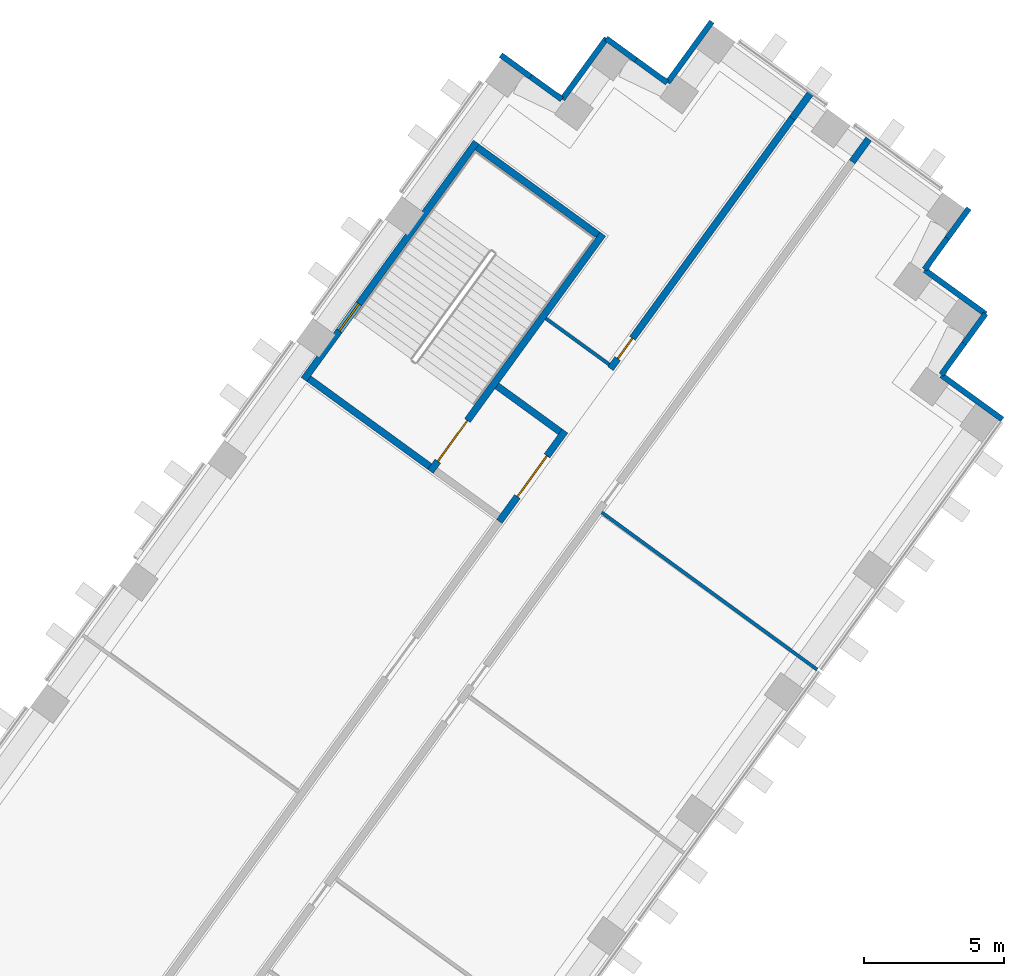
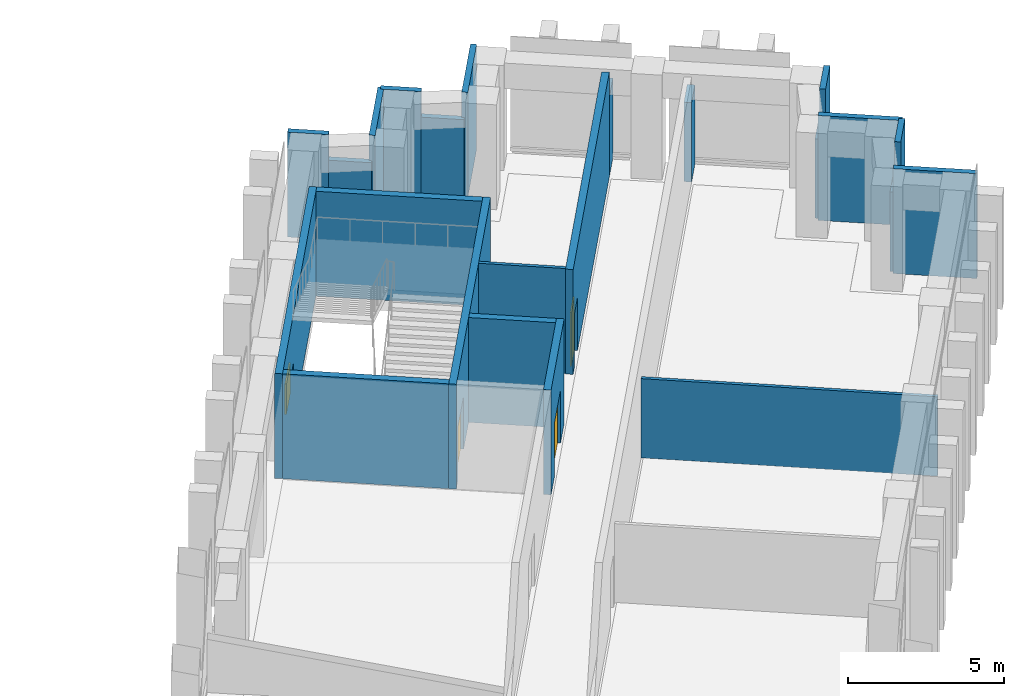
# One storey, part 11 of 15: 23 walls, 3 doors, 1 window, 4 openings.
"""IFC4 building model written with IfcOpenShell, lengths in metres."""

from ifc_helpers import new_model, si_unit, direction, frame, frame_2d, origin, place, context, subcontext, project, spatial, rectangle, extrude, material, layer, layer_set, type_object, element, fill, save


model = new_model("IFC4")

# Units and contexts
model_context = context("Model", 3, precision=1e-05, world=origin(), true_north=direction((0.0, 1.0)))
body_context = subcontext(model_context, "Body", "Model", "MODEL_VIEW")
ifc_project = project(units=[si_unit("LENGTHUNIT", "METRE"), si_unit("AREAUNIT", "SQUARE_METRE"), si_unit("VOLUMEUNIT", "CUBIC_METRE"), si_unit("PLANEANGLEUNIT", "RADIAN"), si_unit("MASSUNIT", "GRAM", prefix="KILO")], contexts=[model_context])

# Site, building, storey
site_placement = place(None, origin())
site = spatial("IfcSite", under=ifc_project, at=site_placement, CompositionType="ELEMENT")
building_placement = place(site_placement, origin())
building = spatial("IfcBuilding", under=site, at=building_placement, Name="Quipu Civic Tower", CompositionType="ELEMENT")
storey_placement = place(building_placement, frame((0.0, 0.0, 11.5)))
storey = spatial("IfcBuildingStorey", under=building, at=storey_placement, Name="L02", CompositionType="ELEMENT", Elevation=11.5)

# Wall, opening, door
ifc_material_1 = material(Name="Concrete C70/85", Category="concrete")
ifc_layer_1 = layer(ifc_material_1, 0.25)
ifc_layer_set_1 = layer_set([ifc_layer_1], Name="Concrete C70/85")
wall_type_1 = type_object("IfcWallType", Name="Core wall 250", PredefinedType="SHEAR", material=ifc_layer_set_1)
wall_1_placement = place(storey_placement, frame((37.237548828125, 25.979736328125, 0.0), z_axis=(0.0, 0.0, 1.0), x_axis=(0.587772420479, 0.809026317077, 0.0)))
wall_1 = element("IfcWall", 1, at=wall_1_placement, inside=storey, type_object=wall_type_1, Name="Core wall", PredefinedType="SHEAR", context=body_context, shape_type="SweptSolid", body=[
    extrude(rectangle(XDim=4.0, YDim=0.25, at=frame_2d((2.0, 0.0))), origin(), (0.0, 0.0, 1.0), 4.10009765625),
])
opening_1_placement = place(wall_1_placement, frame((1.10009765625, 0.0, 0.0)))
opening_1 = element("IfcOpeningElement", 2, at=opening_1_placement, cuts=wall_1, Name="Opening CD-20", PredefinedType="OPENING", context=body_context, shape_type="SweptSolid", body=[
    extrude(rectangle(XDim=1.800048828125, YDim=2.10009765625, at=frame_2d((0.89990234375, 1.050048828125))), frame((0.0, 0.135009765625, 0.0), z_axis=(0.0, -1.0, 0.0), x_axis=(1.0, 0.0, 0.0)), (0.0, 0.0, 1.0), 0.27001953125),
])
ifc_material_2 = material(Name="Fire rated steel door", Category="steel")
door_type_1 = type_object("IfcDoorType", Name="Fire door FD90 double 1800 x 2100", OperationType="NOTDEFINED", PredefinedType="DOOR", material=ifc_material_2)
door_1_placement = place(opening_1_placement, origin())
door_1 = element("IfcDoor", 3, at=door_1_placement, inside=storey, type_object=door_type_1, Name="Lobby door", OperationType="DOUBLE_DOOR_SINGLE_SWING", OverallHeight=2.10009765625, OverallWidth=1.800048828125, PredefinedType="DOOR", context=body_context, shape_type="SweptSolid", body=[
    extrude(rectangle(XDim=1.800048828125, YDim=2.10009765625, at=frame_2d((0.89990234375, 1.050048828125))), frame((0.0, 0.02490234375, 0.0), z_axis=(0.0, -1.0, 0.0), x_axis=(1.0, 0.0, 0.0)), (0.0, 0.0, 1.0), 0.050048828125),
])
fill(opening_1, door_1)

# Wall
wall_2_placement = place(storey_placement, frame((39.4140625, 29.18798828125, 0.0), z_axis=(0.0, 0.0, 1.0), x_axis=(-0.808969789945, 0.58785021813, 0.0)))
element("IfcWall", 4, at=wall_2_placement, inside=storey, type_object=wall_type_1, Name="Core wall", PredefinedType="SHEAR", context=body_context, shape_type="SweptSolid", body=[
    extrude(rectangle(XDim=2.800048828125, YDim=0.25, at=frame_2d((1.39990234375, 0.0))), origin(), (0.0, 0.0, 1.0), 4.10009765625),
])

# Wall, opening, door
wall_3_placement = place(storey_placement, frame((34.77001953125, 27.7724609375, 0.0), z_axis=(0.0, 0.0, 1.0), x_axis=(0.587795589702, 0.809009483706, 0.0)))
wall_3 = element("IfcWall", 5, at=wall_3_placement, inside=storey, type_object=wall_type_1, Name="Core wall", PredefinedType="SHEAR", context=body_context, shape_type="SweptSolid", body=[
    extrude(rectangle(XDim=10.5, YDim=0.25, at=frame_2d((5.25, 0.0))), origin(), (0.0, 0.0, 1.0), 4.10009765625),
])
opening_2_placement = place(wall_3_placement, frame((0.449951171875, 0.0, 0.0)))
opening_2 = element("IfcOpeningElement", 6, at=opening_2_placement, cuts=wall_3, Name="Opening CD-21", PredefinedType="OPENING", context=body_context, shape_type="SweptSolid", body=[
    extrude(rectangle(XDim=1.800048828125, YDim=2.10009765625, at=frame_2d((0.89990234375, 1.050048828125))), frame((0.0, 0.135009765625, 0.0), z_axis=(0.0, -1.0, 0.0), x_axis=(1.0, 0.0, 0.0)), (0.0, 0.0, 1.0), 0.27001953125),
])
door_2_placement = place(opening_2_placement, origin())
door_2 = element("IfcDoor", 7, at=door_2_placement, inside=storey, type_object=door_type_1, Name="Door", OperationType="DOUBLE_DOOR_SINGLE_SWING", OverallHeight=2.10009765625, OverallWidth=1.800048828125, PredefinedType="DOOR", context=body_context, shape_type="SweptSolid", body=[
    extrude(rectangle(XDim=1.800048828125, YDim=2.10009765625, at=frame_2d((0.89990234375, 1.050048828125))), frame((0.0, 0.02490234375, 0.0), z_axis=(0.0, -1.0, 0.0), x_axis=(1.0, 0.0, 0.0)), (0.0, 0.0, 1.0), 0.050048828125),
])
fill(opening_2, door_2)

# Walls
wall_4_placement = place(storey_placement, frame((34.742431640625, 27.947021484375, 0.0), z_axis=(0.0, 0.0, 1.0), x_axis=(-0.8089984606, 0.587810760999, 0.0)))
element("IfcWall", 8, at=wall_4_placement, inside=storey, type_object=wall_type_1, Name="Core wall", PredefinedType="SHEAR", context=body_context, shape_type="SweptSolid", body=[
    extrude(rectangle(XDim=5.35009765625, YDim=0.25, at=frame_2d((2.675048828125, 0.0))), origin(), (0.0, 0.0, 1.0), 4.10009765625),
])
wall_5_placement = place(storey_placement, frame((40.76708984375, 36.239501953125, 0.0), z_axis=(0.0, 0.0, 1.0), x_axis=(-0.809020161303, 0.587780893365, 0.0)))
element("IfcWall", 9, at=wall_5_placement, inside=storey, type_object=wall_type_1, Name="Core wall", PredefinedType="SHEAR", context=body_context, shape_type="SweptSolid", body=[
    extrude(rectangle(XDim=5.349853515625, YDim=0.25, at=frame_2d((2.6748046875, 0.0))), origin(), (0.0, 0.0, 1.0), 4.10009765625),
])

# Wall, opening, window
wall_6_placement = place(storey_placement, frame((30.239501953125, 31.06396484375, 0.0), z_axis=(0.0, 0.0, 1.0), x_axis=(0.587795589702, 0.809009483706, 0.0)))
wall_6 = element("IfcWall", 10, at=wall_6_placement, inside=storey, type_object=wall_type_1, Name="Core wall", PredefinedType="SHEAR", context=body_context, shape_type="SweptSolid", body=[
    extrude(rectangle(XDim=10.5, YDim=0.25, at=frame_2d((5.25, 0.0))), origin(), (0.0, 0.0, 1.0), 4.10009765625),
])
opening_3_placement = place(wall_6_placement, frame((2.14990234375, 0.0, 1.0)))
opening_3 = element("IfcOpeningElement", 11, at=opening_3_placement, cuts=wall_6, Name="Opening SV-7", PredefinedType="OPENING", context=body_context, shape_type="SweptSolid", body=[
    extrude(rectangle(XDim=1.199951171875, YDim=1.199951171875, at=frame_2d((0.60009765625, 0.60009765625))), frame((0.0, 0.135009765625, 0.0), z_axis=(0.0, -1.0, 0.0), x_axis=(1.0, 0.0, 0.0)), (0.0, 0.0, 1.0), 0.27001953125),
])
ifc_material_3 = material(Name="Aluminium louvre", Category="aluminium")
window_type = type_object("IfcWindowType", Name="Stair ventilation louvre 1200 x 1200", PartitioningType="SINGLE_PANEL", PredefinedType="WINDOW", material=ifc_material_3)
window_placement = place(opening_3_placement, origin())
window = element("IfcWindow", 12, at=window_placement, inside=storey, type_object=window_type, Name="Stair ventilation opening", OverallHeight=1.199951171875, OverallWidth=1.199951171875, PartitioningType="SINGLE_PANEL", PredefinedType="WINDOW", context=body_context, shape_type="SweptSolid", body=[
    extrude(rectangle(XDim=1.199951171875, YDim=1.199951171875, at=frame_2d((0.60009765625, 0.60009765625))), frame((0.0, 0.030029296875, 0.0), z_axis=(0.0, -1.0, 0.0), x_axis=(1.0, 0.0, 0.0)), (0.0, 0.0, 1.0), 0.06005859375),
])
fill(opening_3, window)

# Wall, opening, door
ifc_material_4 = material(Name="Concrete C50/60", Category="concrete")
ifc_layer_2 = layer(ifc_material_4, 0.25)
ifc_layer_set_2 = layer_set([ifc_layer_2], Name="Concrete C50/60")
wall_type_2 = type_object("IfcWallType", Name="Corridor wall 250 concrete", PredefinedType="SOLIDWALL", material=ifc_layer_set_2)
wall_7_placement = place(storey_placement, frame((41.213134765625, 31.451416015625, 0.0), z_axis=(0.0, 0.0, 1.0), x_axis=(0.587773291021, 0.809025684612, 0.0)))
wall_7 = element("IfcWall", 13, at=wall_7_placement, inside=storey, type_object=wall_type_2, Name="Corridor wall C07", PredefinedType="SOLIDWALL", context=body_context, shape_type="SweptSolid", body=[
    extrude(rectangle(XDim=11.07861328125, YDim=0.25, at=frame_2d((5.539306640625, 0.0))), origin(), (0.0, 0.0, 1.0), 4.10009765625),
])
opening_4_placement = place(wall_7_placement, frame((0.44140625, 0.0, 0.0)))
opening_4 = element("IfcOpeningElement", 14, at=opening_4_placement, cuts=wall_7, Name="Opening D003", PredefinedType="OPENING", context=body_context, shape_type="SweptSolid", body=[
    extrude(rectangle(XDim=0.89990234375, YDim=2.10009765625, at=frame_2d((0.449951171875, 1.050048828125))), frame((0.0, 0.135009765625, 0.0), z_axis=(0.0, -1.0, 0.0), x_axis=(1.0, 0.0, 0.0)), (0.0, 0.0, 1.0), 0.27001953125),
])
ifc_material_5 = material(Name="Fire rated timber door set with metal frame", Category="wood")
door_type_2 = type_object("IfcDoorType", Name="Single door 900 x 2100 FD60", OperationType="NOTDEFINED", PredefinedType="DOOR", material=ifc_material_5)
door_3_placement = place(opening_4_placement, origin())
door_3 = element("IfcDoor", 15, at=door_3_placement, inside=storey, type_object=door_type_2, Name="Door D003", OperationType="SINGLE_SWING_LEFT", OverallHeight=2.10009765625, OverallWidth=0.89990234375, PredefinedType="DOOR", context=body_context, shape_type="SweptSolid", body=[
    extrude(rectangle(XDim=0.89990234375, YDim=2.10009765625, at=frame_2d((0.449951171875, 1.050048828125))), frame((0.0, 0.02490234375, 0.0), z_axis=(0.0, -1.0, 0.0), x_axis=(1.0, 0.0, 0.0)), (0.0, 0.0, 1.0), 0.050048828125),
])
fill(opening_4, door_3)

# Walls
wall_8_placement = place(storey_placement, frame((49.86865234375, 38.8564453125, 0.0), z_axis=(0.0, 0.0, 1.0), x_axis=(0.587725246084, 0.809060588037, 0.0)))
element("IfcWall", 16, at=wall_8_placement, inside=storey, type_object=wall_type_2, Name="Corridor wall C01", PredefinedType="SOLIDWALL", context=body_context, shape_type="SweptSolid", body=[
    extrude(rectangle(XDim=1.008056640625, YDim=0.25, at=frame_2d((0.50390625, 0.0))), origin(), (0.0, 0.0, 1.0), 3.10009765625),
])
wall_9_placement = place(storey_placement, frame((47.724853515625, 40.414306640625, 0.0), z_axis=(0.0, 0.0, 1.0), x_axis=(0.587883639643, 0.808945502639, 0.0)))
element("IfcWall", 17, at=wall_9_placement, inside=storey, type_object=wall_type_2, Name="Corridor wall C07", PredefinedType="SOLIDWALL", context=body_context, shape_type="SweptSolid", body=[
    extrude(rectangle(XDim=1.10888671875, YDim=0.25, at=frame_2d((0.554443359375, 0.0))), origin(), (0.0, 0.0, 1.0), 3.10009765625),
])
ifc_material_6 = material(Name="Gypsum plasterboard on light gauge framing")
ifc_layer_3 = layer(ifc_material_6, 0.1201171875)
ifc_layer_set_3 = layer_set([ifc_layer_3], Name="Gypsum plasterboard on light gauge framing")
wall_type_3 = type_object("IfcWallType", Name="Partition 120 plasterboard", PredefinedType="PARTITIONING", material=ifc_layer_set_3)
wall_10_placement = place(storey_placement, frame((40.90185546875, 26.30224609375, 0.0), z_axis=(0.0, 0.0, 1.0), x_axis=(0.807691251741, -0.589605666408, 0.0)))
element("IfcWall", 18, at=wall_10_placement, inside=storey, type_object=wall_type_3, Name="Partition P09", PredefinedType="PARTITIONING", context=body_context, shape_type="SweptSolid", body=[
    extrude(rectangle(XDim=9.55029296875, YDim=0.1201171875, at=frame_2d((4.775146484375, 0.0))), origin(), (0.0, 0.0, 1.0), 3.10009765625),
])
wall_11_placement = place(storey_placement, frame((38.89990234375, 33.2451171875, 0.0), z_axis=(0.0, 0.0, 1.0), x_axis=(0.809090262332, -0.587684394381, 0.0)))
element("IfcWall", 19, at=wall_11_placement, inside=storey, type_object=wall_type_3, Name="Partition P15", PredefinedType="PARTITIONING", context=body_context, shape_type="SweptSolid", body=[
    extrude(rectangle(XDim=2.80078125, YDim=0.1201171875, at=frame_2d((1.400390625, 0.0))), origin(), (0.0, 0.0, 1.0), 4.10009765625),
])
ifc_material_7 = material(Name="Precast concrete C40/50", Category="concrete")
wall_type_4 = type_object("IfcWallType", Name="Precast cladding wall", PredefinedType="SOLIDWALL", material=ifc_material_7)
wall_12_placement = place(storey_placement, frame((55.2470703125, 29.62890625, 0.0), z_axis=(0.0, 0.0, 1.0), x_axis=(-0.809033161865, 0.587762999008, 0.0)))
element("IfcWall", 20, at=wall_12_placement, inside=storey, type_object=wall_type_4, Name="Precast cladding wall L02 33", PredefinedType="SOLIDWALL", context=body_context, shape_type="SweptSolid", body=[
    extrude(rectangle(XDim=2.699951171875, YDim=0.199951171875, at=frame_2d((1.35009765625, 0.0))), origin(), (0.0, 0.0, 1.0), 4.10009765625),
])
wall_13_placement = place(storey_placement, frame((53.06005859375, 31.232666015625, 0.0), z_axis=(0.0, 0.0, 1.0), x_axis=(0.587776137069, 0.809023616894, 0.0)))
element("IfcWall", 21, at=wall_13_placement, inside=storey, type_object=wall_type_4, Name="Precast cladding wall L02 34", PredefinedType="SOLIDWALL", context=body_context, shape_type="SweptSolid", body=[
    extrude(rectangle(XDim=1.394775390625, YDim=0.199951171875, at=frame_2d((0.697265625, 0.0))), origin(), (0.0, 0.0, 1.0), 3.10009765625),
])
wall_14_placement = place(storey_placement, frame((53.8798828125, 32.361083984375, 0.0), z_axis=(0.0, 0.0, 1.0), x_axis=(0.587871379726, 0.808954412127, 0.0)))
element("IfcWall", 22, at=wall_14_placement, inside=storey, type_object=wall_type_4, Name="Precast cladding wall L02 34 a", PredefinedType="SOLIDWALL", context=body_context, shape_type="SweptSolid", body=[
    extrude(rectangle(XDim=1.30517578125, YDim=0.199951171875, at=frame_2d((0.652587890625, 0.0))), origin(), (0.0, 0.0, 1.0), 4.10009765625),
])
wall_15_placement = place(storey_placement, frame((54.649658203125, 33.400390625, 0.0), z_axis=(0.0, 0.0, 1.0), x_axis=(-0.809033161865, 0.587762999008, 0.0)))
element("IfcWall", 23, at=wall_15_placement, inside=storey, type_object=wall_type_4, Name="Precast cladding wall L02 35", PredefinedType="SOLIDWALL", context=body_context, shape_type="SweptSolid", body=[
    extrude(rectangle(XDim=2.699951171875, YDim=0.199951171875, at=frame_2d((1.35009765625, 0.0))), origin(), (0.0, 0.0, 1.0), 4.10009765625),
])
wall_16_placement = place(storey_placement, frame((52.462646484375, 35.004150390625, 0.0), z_axis=(0.0, 0.0, 1.0), x_axis=(0.587782252522, 0.809019173827, 0.0)))
element("IfcWall", 24, at=wall_16_placement, inside=storey, type_object=wall_type_4, Name="Precast cladding wall L02 36", PredefinedType="SOLIDWALL", context=body_context, shape_type="SweptSolid", body=[
    extrude(rectangle(XDim=1.37939453125, YDim=0.199951171875, at=frame_2d((0.689697265625, 0.0))), origin(), (0.0, 0.0, 1.0), 3.10009765625),
])
wall_17_placement = place(storey_placement, frame((53.2734375, 36.1201171875, 0.0), z_axis=(0.0, 0.0, 1.0), x_axis=(0.58786388341, 0.808959859686, 0.0)))
element("IfcWall", 25, at=wall_17_placement, inside=storey, type_object=wall_type_4, Name="Precast cladding wall L02 36 a", PredefinedType="SOLIDWALL", context=body_context, shape_type="SweptSolid", body=[
    extrude(rectangle(XDim=1.320556640625, YDim=0.199951171875, at=frame_2d((0.66015625, 0.0))), origin(), (0.0, 0.0, 1.0), 4.10009765625),
])
wall_18_placement = place(storey_placement, frame((44.846435546875, 43.875, 0.0), z_axis=(0.0, 0.0, 1.0), x_axis=(-0.587822180636, -0.808990163075, 0.0)))
element("IfcWall", 26, at=wall_18_placement, inside=storey, type_object=wall_type_4, Name="Precast cladding wall L02 39", PredefinedType="SOLIDWALL", context=body_context, shape_type="SweptSolid", body=[
    extrude(rectangle(XDim=2.699951171875, YDim=0.199951171875, at=frame_2d((1.35009765625, 0.0))), origin(), (0.0, 0.0, 1.0), 4.10009765625),
])
wall_19_placement = place(storey_placement, frame((43.242431640625, 41.68798828125, 0.0), z_axis=(0.0, 0.0, 1.0), x_axis=(-0.808926734208, 0.5879094647, 0.0)))
element("IfcWall", 27, at=wall_19_placement, inside=storey, type_object=wall_type_4, Name="Precast cladding wall L02 40", PredefinedType="SOLIDWALL", context=body_context, shape_type="SweptSolid", body=[
    extrude(rectangle(XDim=1.384033203125, YDim=0.199951171875, at=frame_2d((0.69189453125, 0.0))), origin(), (0.0, 0.0, 1.0), 3.10009765625),
])
wall_20_placement = place(storey_placement, frame((42.122802734375, 42.501708984375, 0.0), z_axis=(0.0, 0.0, 1.0), x_axis=(-0.809056865039, 0.587730371117, 0.0)))
element("IfcWall", 28, at=wall_20_placement, inside=storey, type_object=wall_type_4, Name="Precast cladding wall L02 40 a", PredefinedType="SOLIDWALL", context=body_context, shape_type="SweptSolid", body=[
    extrude(rectangle(XDim=1.31591796875, YDim=0.199951171875, at=frame_2d((0.657958984375, 0.0))), origin(), (0.0, 0.0, 1.0), 4.10009765625),
])
wall_21_placement = place(storey_placement, frame((41.074951171875, 43.277587890625, 0.0), z_axis=(0.0, 0.0, 1.0), x_axis=(-0.587806000234, -0.809001919707, 0.0)))
element("IfcWall", 29, at=wall_21_placement, inside=storey, type_object=wall_type_4, Name="Precast cladding wall L02 41", PredefinedType="SOLIDWALL", context=body_context, shape_type="SweptSolid", body=[
    extrude(rectangle(XDim=2.69970703125, YDim=0.199951171875, at=frame_2d((1.349853515625, 0.0))), origin(), (0.0, 0.0, 1.0), 4.10009765625),
])
wall_22_placement = place(storey_placement, frame((39.47119140625, 41.0908203125, 0.0), z_axis=(0.0, 0.0, 1.0), x_axis=(-0.809002762913, 0.58780483972, 0.0)))
element("IfcWall", 30, at=wall_22_placement, inside=storey, type_object=wall_type_4, Name="Precast cladding wall L02 42", PredefinedType="SOLIDWALL", context=body_context, shape_type="SweptSolid", body=[
    extrude(rectangle(XDim=1.38525390625, YDim=0.199951171875, at=frame_2d((0.692626953125, 0.0))), origin(), (0.0, 0.0, 1.0), 3.10009765625),
])
wall_23_placement = place(storey_placement, frame((38.3505859375, 41.905029296875, 0.0), z_axis=(0.0, 0.0, 1.0), x_axis=(-0.809065186597, 0.587718915671, 0.0)))
element("IfcWall", 31, at=wall_23_placement, inside=storey, type_object=wall_type_4, Name="Precast cladding wall L02 42 a", PredefinedType="SOLIDWALL", context=body_context, shape_type="SweptSolid", body=[
    extrude(rectangle(XDim=1.314697265625, YDim=0.199951171875, at=frame_2d((0.6572265625, 0.0))), origin(), (0.0, 0.0, 1.0), 4.10009765625),
])

save(model, "model.ifc")
